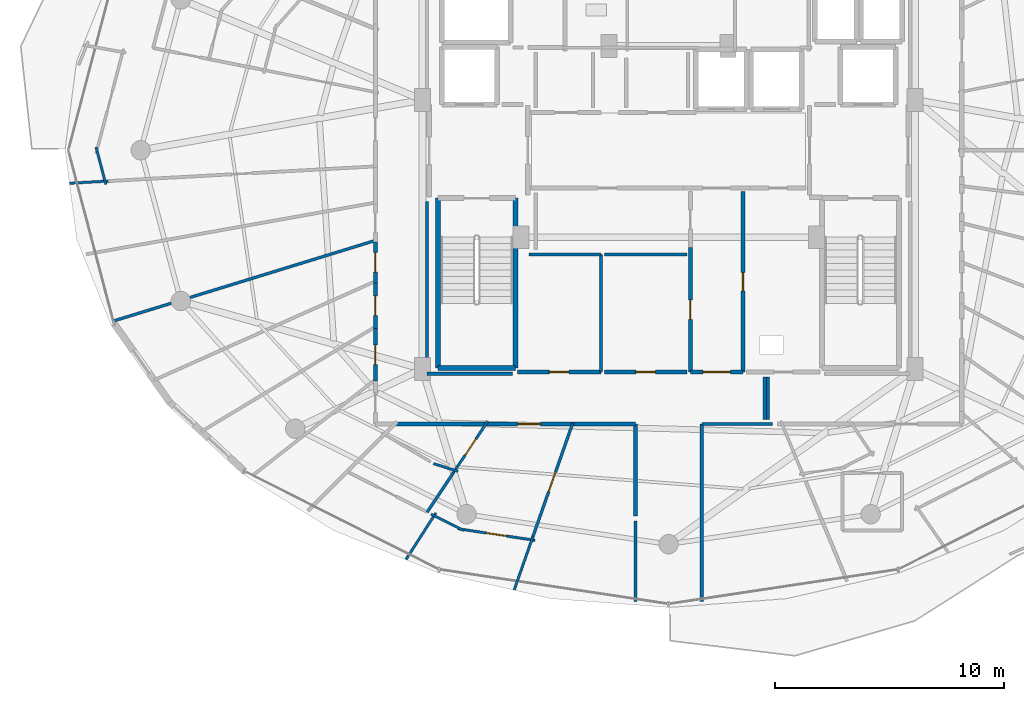
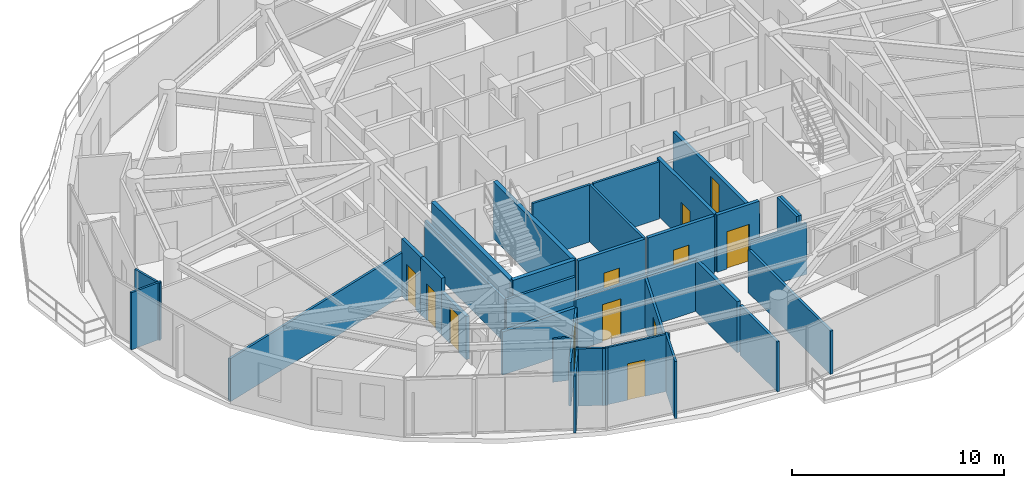
# One storey, part 21 of 30: 36 walls, 12 doors, 12 openings.
"""IFC4 building model written with IfcOpenShell, lengths in metres."""

from ifc_helpers import new_model, si_unit, direction, frame, frame_2d, origin, place, context, subcontext, project, spatial, rectangle, extrude, material, layer, layer_set, type_object, element, fill, save


model = new_model("IFC4")

# Units and contexts
model_context = context("Model", 3, precision=1e-05, world=origin(), true_north=direction((0.0, 1.0)))
body_context = subcontext(model_context, "Body", "Model", "MODEL_VIEW")
ifc_project = project(units=[si_unit("LENGTHUNIT", "METRE"), si_unit("AREAUNIT", "SQUARE_METRE"), si_unit("VOLUMEUNIT", "CUBIC_METRE"), si_unit("PLANEANGLEUNIT", "RADIAN"), si_unit("MASSUNIT", "GRAM", prefix="KILO")], contexts=[model_context])

# Site, building, storey
site_placement = place(None, origin())
site = spatial("IfcSite", under=ifc_project, at=site_placement, CompositionType="ELEMENT")
building_placement = place(site_placement, origin())
building = spatial("IfcBuilding", under=site, at=building_placement, Name="Vorneva Point Tower", CompositionType="ELEMENT")
storey_placement = place(building_placement, frame((0.0, 0.0, 262.64990234375)))
storey = spatial("IfcBuildingStorey", under=building, at=storey_placement, Name="L71", CompositionType="ELEMENT", Elevation=262.64990234375)

# Walls
ifc_material_1 = material(Name="Fire-rated acoustic gypsum stud partition", Category="gypsum")
ifc_layer_1 = layer(ifc_material_1, 0.110107421875)
ifc_layer_set_1 = layer_set([ifc_layer_1], Name="Fire-rated acoustic gypsum stud partition")
wall_type_1 = type_object("IfcWallType", Name="WL-PART-110", PredefinedType="PARTITIONING", material=ifc_layer_set_1)
wall_1_placement = place(storey_placement, frame((13.00439453125, 26.135498046875, 0.0), z_axis=(0.0, 0.0, 1.0), x_axis=(0.254278727694, -0.967130978018, 0.0)))
element("IfcWall", 1, at=wall_1_placement, inside=storey, type_object=wall_type_1, Name="L71 Interior Partition 076", PredefinedType="PARTITIONING", context=body_context, shape_type="SweptSolid", body=[
    extrude(rectangle(XDim=1.68017578125, YDim=0.110107421875, at=frame_2d((0.840087890625, 0.0))), origin(), (0.0, 0.0, 1.0), 3.2900390625),
])
wall_2_placement = place(storey_placement, frame((13.535888671875, 24.65380859375, 0.0), z_axis=(0.0, 0.0, 1.0), x_axis=(-0.998470551828, -0.055286138695, 0.0)))
element("IfcWall", 2, at=wall_2_placement, inside=storey, type_object=wall_type_1, Name="L71 Interior Partition 077", PredefinedType="PARTITIONING", context=body_context, shape_type="SweptSolid", body=[
    extrude(rectangle(XDim=1.69140625, YDim=0.110107421875, at=frame_2d((0.845703125, 0.0))), origin(), (0.0, 0.0, 1.0), 3.2900390625),
])

# Wall, opening, door
wall_3_placement = place(storey_placement, frame((30.103759765625, 14.16650390625, 0.0), z_axis=(0.0, 0.0, 1.0), x_axis=(-0.555011080332, -0.831842954354, 0.0)))
wall_3 = element("IfcWall", 3, at=wall_3_placement, inside=storey, type_object=wall_type_1, Name="L71 Interior Partition 095", PredefinedType="PARTITIONING", context=body_context, shape_type="SweptSolid", body=[
    extrude(rectangle(XDim=2.718017578125, YDim=0.110107421875, at=frame_2d((1.35888671875, 0.0))), origin(), (0.0, 0.0, 1.0), 2.482177734375),
])
opening_1_placement = place(wall_3_placement, frame((0.93408203125, 0.0, 0.0)))
opening_1 = element("IfcOpeningElement", 4, at=opening_1_placement, cuts=wall_3, Name="Opening ID-02", PredefinedType="OPENING", context=body_context, shape_type="SweptSolid", body=[
    extrude(rectangle(XDim=0.85009765625, YDim=2.10009765625, at=frame_2d((0.425048828125, 1.050048828125))), frame((0.0, 0.06982421875, 0.0), z_axis=(0.0, -1.0, 0.0), x_axis=(1.0, 0.0, 0.0)), (0.0, 0.0, 1.0), 0.139892578125),
])
ifc_material_2 = material(Name="Engineered oak fire-rated door leaf", Category="wood")
door_type_1 = type_object("IfcDoorType", Name="DR-BATH-850", OperationType="NOTDEFINED", PredefinedType="DOOR", material=ifc_material_2)
door_1_placement = place(opening_1_placement, origin())
door_1 = element("IfcDoor", 5, at=door_1_placement, inside=storey, type_object=door_type_1, Name="L71 Door Living and Dining Room L71-02 / Bathroom L71-02", OperationType="SINGLE_SWING_RIGHT", OverallHeight=2.10009765625, OverallWidth=0.85009765625, PredefinedType="DOOR", context=body_context, shape_type="SweptSolid", body=[
    extrude(rectangle(XDim=0.85009765625, YDim=2.10009765625, at=frame_2d((0.425048828125, 1.050048828125))), frame((0.0, 0.02490234375, 0.0), z_axis=(0.0, -1.0, 0.0), x_axis=(1.0, 0.0, 0.0)), (0.0, 0.0, 1.0), 0.050048828125),
])
fill(opening_1, door_1)

# Walls
wall_4_placement = place(storey_placement, frame((26.534423828125, 8.132080078125, 0.0), z_axis=(0.0, 0.0, 1.0), x_axis=(0.540114041626, 0.841591838149, 0.0)))
element("IfcWall", 6, at=wall_4_placement, inside=storey, type_object=wall_type_1, Name="L71 Interior Partition 096", PredefinedType="PARTITIONING", context=body_context, shape_type="SweptSolid", body=[
    extrude(rectangle(XDim=2.41650390625, YDim=0.110107421875, at=frame_2d((1.208251953125, 0.0))), origin(), (0.0, 0.0, 1.0), 3.2900390625),
])
wall_5_placement = place(storey_placement, frame((27.638916015625, 10.111083984375, 0.0), z_axis=(0.0, 0.0, 1.0), x_axis=(0.892614165752, -0.45082141819, 0.0)))
element("IfcWall", 7, at=wall_5_placement, inside=storey, type_object=wall_type_1, Name="L71 Interior Partition 097", PredefinedType="PARTITIONING", context=body_context, shape_type="SweptSolid", body=[
    extrude(rectangle(XDim=1.595458984375, YDim=0.110107421875, at=frame_2d((0.7978515625, 0.0))), origin(), (0.0, 0.0, 1.0), 3.2900390625),
])

# Wall, opening, door
wall_6_placement = place(storey_placement, frame((28.799560546875, 9.475830078125, 0.0), z_axis=(0.0, 0.0, 1.0), x_axis=(0.988903707347, -0.148557926731, 0.0)))
wall_6 = element("IfcWall", 8, at=wall_6_placement, inside=storey, type_object=wall_type_1, Name="L71 Interior Partition 098", PredefinedType="PARTITIONING", context=body_context, shape_type="SweptSolid", body=[
    extrude(rectangle(XDim=3.403564453125, YDim=0.110107421875, at=frame_2d((1.70166015625, 0.0))), origin(), (0.0, 0.0, 1.0), 3.2900390625),
])
opening_2_placement = place(wall_6_placement, frame((1.251708984375, 0.0, 0.0)))
opening_2 = element("IfcOpeningElement", 9, at=opening_2_placement, cuts=wall_6, Name="Opening ID-01", PredefinedType="OPENING", context=body_context, shape_type="SweptSolid", body=[
    extrude(rectangle(XDim=0.89990234375, YDim=2.10009765625, at=frame_2d((0.449951171875, 1.050048828125))), frame((0.0, 0.06982421875, 0.0), z_axis=(0.0, -1.0, 0.0), x_axis=(1.0, 0.0, 0.0)), (0.0, 0.0, 1.0), 0.139892578125),
])
door_type_2 = type_object("IfcDoorType", Name="DR-ROOM-900", OperationType="NOTDEFINED", PredefinedType="DOOR", material=ifc_material_2)
door_2_placement = place(opening_2_placement, origin())
door_2 = element("IfcDoor", 10, at=door_2_placement, inside=storey, type_object=door_type_2, Name="L71 Door Living and Dining Room L71-02 / Kitchen L71-02", OperationType="SINGLE_SWING_RIGHT", OverallHeight=2.10009765625, OverallWidth=0.89990234375, PredefinedType="DOOR", context=body_context, shape_type="SweptSolid", body=[
    extrude(rectangle(XDim=0.89990234375, YDim=2.10009765625, at=frame_2d((0.449951171875, 1.050048828125))), frame((0.0, 0.02490234375, 0.0), z_axis=(0.0, -1.0, 0.0), x_axis=(1.0, 0.0, 0.0)), (0.0, 0.0, 1.0), 0.050048828125),
])
fill(opening_2, door_2)

# Walls
wall_7_placement = place(storey_placement, frame((27.736572265625, 12.320556640625, 0.0), z_axis=(0.0, 0.0, 1.0), x_axis=(0.952754298981, -0.303742071127, 0.0)))
element("IfcWall", 11, at=wall_7_placement, inside=storey, type_object=wall_type_1, Name="L71 Interior Partition 103", PredefinedType="PARTITIONING", context=body_context, shape_type="SweptSolid", body=[
    extrude(rectangle(XDim=1.122802734375, YDim=0.110107421875, at=frame_2d((0.5615234375, 0.0))), origin(), (0.0, 0.0, 1.0), 2.482177734375),
])
wall_8_placement = place(storey_placement, frame((31.258544921875, 6.802978515625, 0.0), z_axis=(0.0, 0.0, 1.0), x_axis=(0.331407174133, 0.943487829775, 0.0)))
element("IfcWall", 12, at=wall_8_placement, inside=storey, type_object=wall_type_1, Name="L71 Interior Partition 104", PredefinedType="PARTITIONING", context=body_context, shape_type="SweptSolid", body=[
    extrude(rectangle(XDim=2.458984375, YDim=0.110107421875, at=frame_2d((1.2294921875, 0.0))), origin(), (0.0, 0.0, 1.0), 3.2900390625),
])
ifc_layer_2 = layer(ifc_material_1, 0.125)
ifc_layer_set_2 = layer_set([ifc_layer_2], Name="Fire-rated acoustic gypsum stud partition")
wall_type_2 = type_object("IfcWallType", Name="WL-PART-125", PredefinedType="PARTITIONING", material=ifc_layer_set_2)
wall_9_placement = place(storey_placement, frame((35.050048828125, 16.320068359375, 0.0), z_axis=(0.0, 0.0, 1.0), x_axis=(0.0, 1.0, 0.0)))
element("IfcWall", 13, at=wall_9_placement, inside=storey, type_object=wall_type_2, Name="L71 Interior Partition 028", PredefinedType="PARTITIONING", context=body_context, shape_type="SweptSolid", body=[
    extrude(rectangle(XDim=5.1298828125, YDim=0.125, at=frame_2d((2.56494140625, 0.0))), origin(), (0.0, 0.0, 1.0), 3.2900390625),
])
wall_10_placement = place(storey_placement, frame((35.050048828125, 21.449951171875, 0.0), z_axis=(0.0, 0.0, 1.0), x_axis=(-1.0, 0.0, 0.0)))
element("IfcWall", 14, at=wall_10_placement, inside=storey, type_object=wall_type_2, Name="L71 Interior Partition 029", PredefinedType="PARTITIONING", context=body_context, shape_type="SweptSolid", body=[
    extrude(rectangle(XDim=3.155029296875, YDim=0.125, at=frame_2d((1.57763671875, 0.0))), origin(), (0.0, 0.0, 1.0), 3.2900390625),
])
wall_11_placement = place(storey_placement, frame((38.800048828125, 21.449951171875, 0.0), z_axis=(0.0, 0.0, 1.0), x_axis=(-1.0, 0.0, 0.0)))
element("IfcWall", 15, at=wall_11_placement, inside=storey, type_object=wall_type_2, Name="L71 Interior Partition 031", PredefinedType="PARTITIONING", context=body_context, shape_type="SweptSolid", body=[
    extrude(rectangle(XDim=3.60009765625, YDim=0.125, at=frame_2d((1.800048828125, 0.0))), origin(), (0.0, 0.0, 1.0), 3.2900390625),
])
wall_12_placement = place(storey_placement, frame((13.7470703125, 18.5390625, 0.0), z_axis=(0.0, 0.0, 1.0), x_axis=(0.955802794564, 0.294008533725, 0.0)))
element("IfcWall", 16, at=wall_12_placement, inside=storey, type_object=wall_type_2, Name="L71 Interior Partition 088", PredefinedType="PARTITIONING", context=body_context, shape_type="SweptSolid", body=[
    extrude(rectangle(XDim=11.982421875, YDim=0.125, at=frame_2d((5.9912109375, 0.0))), origin(), (0.0, 0.0, 1.0), 2.482177734375),
])
wall_13_placement = place(storey_placement, frame((28.59521484375, 11.905517578125, 0.0), z_axis=(0.0, 0.0, 1.0), x_axis=(-0.555085472594, -0.831793314541, 0.0)))
element("IfcWall", 17, at=wall_13_placement, inside=storey, type_object=wall_type_2, Name="L71 Interior Partition 100", PredefinedType="PARTITIONING", context=body_context, shape_type="SweptSolid", body=[
    extrude(rectangle(XDim=2.046875, YDim=0.125, at=frame_2d((1.0234375, 0.0))), origin(), (0.0, 0.0, 1.0), 2.482177734375),
])

# Wall, opening, door
wall_14_placement = place(storey_placement, frame((32.027099609375, 8.990966796875, 0.0), z_axis=(0.0, 0.0, 1.0), x_axis=(0.331214316781, 0.943555550224, 0.0)))
wall_14 = element("IfcWall", 18, at=wall_14_placement, inside=storey, type_object=wall_type_2, Name="L71 Interior Partition 101", PredefinedType="PARTITIONING", context=body_context, shape_type="SweptSolid", body=[
    extrude(rectangle(XDim=5.36181640625, YDim=0.125, at=frame_2d((2.680908203125, 0.0))), origin(), (0.0, 0.0, 1.0), 2.8740234375),
])
opening_3_placement = place(wall_14_placement, frame((2.230712890625, 0.0, 0.0)))
opening_3 = element("IfcOpeningElement", 19, at=opening_3_placement, cuts=wall_14, Name="Opening ID-01", PredefinedType="OPENING", context=body_context, shape_type="SweptSolid", body=[
    extrude(rectangle(XDim=0.89990234375, YDim=2.10009765625, at=frame_2d((0.449951171875, 1.050048828125))), frame((0.0, 0.077392578125, 0.0), z_axis=(0.0, -1.0, 0.0), x_axis=(1.0, 0.0, 0.0)), (0.0, 0.0, 1.0), 0.15478515625),
])
door_3_placement = place(opening_3_placement, origin())
door_3 = element("IfcDoor", 20, at=door_3_placement, inside=storey, type_object=door_type_2, Name="L71 Door Living and Dining Room L71-02 / Master Bedroom L71-02.1", OperationType="SINGLE_SWING_LEFT", OverallHeight=2.10009765625, OverallWidth=0.89990234375, PredefinedType="DOOR", context=body_context, shape_type="SweptSolid", body=[
    extrude(rectangle(XDim=0.89990234375, YDim=2.10009765625, at=frame_2d((0.449951171875, 1.050048828125))), frame((0.0, 0.02490234375, 0.0), z_axis=(0.0, -1.0, 0.0), x_axis=(1.0, 0.0, 0.0)), (0.0, 0.0, 1.0), 0.050048828125),
])
fill(opening_3, door_3)

# Walls
ifc_layer_3 = layer(ifc_material_1, 0.139892578125)
ifc_layer_set_3 = layer_set([ifc_layer_3], Name="Fire-rated acoustic gypsum stud partition")
wall_type_3 = type_object("IfcWallType", Name="WL-PART-140", PredefinedType="PARTITIONING", material=ifc_layer_set_3)
wall_15_placement = place(storey_placement, frame((36.550048828125, 9.802978515625, 0.0), z_axis=(0.0, 0.0, 1.0), x_axis=(0.0, -1.0, 0.0)))
element("IfcWall", 21, at=wall_15_placement, inside=storey, type_object=wall_type_3, Name="L71 Interior Closure Partition 152", PredefinedType="PARTITIONING", context=body_context, shape_type="SweptSolid", body=[
    extrude(rectangle(XDim=3.50390625, YDim=0.139892578125, at=frame_2d((1.751953125, 0.0))), origin(), (0.0, 0.0, 1.0), 2.8740234375),
])
wall_16_placement = place(storey_placement, frame((39.449951171875, 6.299072265625, 0.0), z_axis=(0.0, 0.0, 1.0), x_axis=(0.0, 1.0, 0.0)))
element("IfcWall", 22, at=wall_16_placement, inside=storey, type_object=wall_type_3, Name="L71 Interior Closure Partition 153", PredefinedType="PARTITIONING", context=body_context, shape_type="SweptSolid", body=[
    extrude(rectangle(XDim=7.7509765625, YDim=0.139892578125, at=frame_2d((3.87548828125, 0.0))), origin(), (0.0, 0.0, 1.0), 2.482177734375),
])
wall_17_placement = place(storey_placement, frame((39.449951171875, 14.050048828125, 0.0), z_axis=(0.0, 0.0, 1.0), x_axis=(1.0, 0.0, 0.0)))
element("IfcWall", 23, at=wall_17_placement, inside=storey, type_object=wall_type_3, Name="L71 Interior Closure Partition 154", PredefinedType="PARTITIONING", context=body_context, shape_type="SweptSolid", body=[
    extrude(rectangle(XDim=3.080078125, YDim=0.139892578125, at=frame_2d((1.5400390625, 0.0))), origin(), (0.0, 0.0, 1.0), 2.93603515625),
])
wall_18_placement = place(storey_placement, frame((42.340087890625, 14.25, 0.0), z_axis=(0.0, 0.0, 1.0), x_axis=(0.0, 1.0, 0.0)))
element("IfcWall", 24, at=wall_18_placement, inside=storey, type_object=wall_type_3, Name="L71 Interior Closure Partition 157", PredefinedType="PARTITIONING", context=body_context, shape_type="SweptSolid", body=[
    extrude(rectangle(XDim=1.85009765625, YDim=0.139892578125, at=frame_2d((0.925048828125, 0.0))), origin(), (0.0, 0.0, 1.0), 3.2900390625),
])
wall_19_placement = place(storey_placement, frame((27.449951171875, 23.75390625, 0.0), z_axis=(0.0, 0.0, 1.0), x_axis=(0.0, -1.0, 0.0)))
element("IfcWall", 25, at=wall_19_placement, inside=storey, type_object=wall_type_3, Name="L71 Interior Closure Partition 165", PredefinedType="PARTITIONING", context=body_context, shape_type="SweptSolid", body=[
    extrude(rectangle(XDim=7.513916015625, YDim=0.139892578125, at=frame_2d((3.7568359375, 0.0))), origin(), (0.0, 0.0, 1.0), 2.482177734375),
])
wall_20_placement = place(storey_placement, frame((27.449951171875, 16.239990234375, 0.0), z_axis=(0.0, 0.0, 1.0), x_axis=(1.0, 0.0, 0.0)))
element("IfcWall", 26, at=wall_20_placement, inside=storey, type_object=wall_type_3, Name="L71 Interior Closure Partition 166", PredefinedType="PARTITIONING", context=body_context, shape_type="SweptSolid", body=[
    extrude(rectangle(XDim=3.7451171875, YDim=0.139892578125, at=frame_2d((1.87255859375, 0.0))), origin(), (0.0, 0.0, 1.0), 2.482177734375),
])
wall_21_placement = place(storey_placement, frame((42.199951171875, 16.10009765625, 0.0), z_axis=(0.0, 0.0, 1.0), x_axis=(0.0, -1.0, 0.0)))
element("IfcWall", 27, at=wall_21_placement, inside=storey, type_object=wall_type_3, Name="L71 Interior Closure Partition 167", PredefinedType="PARTITIONING", context=body_context, shape_type="SweptSolid", body=[
    extrude(rectangle(XDim=1.85009765625, YDim=0.139892578125, at=frame_2d((0.925048828125, 0.0))), origin(), (0.0, 0.0, 1.0), 3.2900390625),
])

# Wall, opening, door
ifc_material_3 = material(Name="Autoclaved aerated concrete blockwork", Category="masonry")
ifc_layer_4 = layer(ifc_material_3, 0.179931640625)
ifc_layer_set_4 = layer_set([ifc_layer_4], Name="Autoclaved aerated concrete blockwork")
wall_type_4 = type_object("IfcWallType", Name="WL-PART-180", PredefinedType="PARTITIONING", material=ifc_layer_set_4)
wall_22_placement = place(storey_placement, frame((41.25, 16.320068359375, 0.0), z_axis=(0.0, 0.0, 1.0), x_axis=(0.0, 1.0, 0.0)))
wall_22 = element("IfcWall", 28, at=wall_22_placement, inside=storey, type_object=wall_type_4, Name="L71 Interior Partition 015", PredefinedType="PARTITIONING", context=body_context, shape_type="SweptSolid", body=[
    extrude(rectangle(XDim=7.8798828125, YDim=0.179931640625, at=frame_2d((3.93994140625, 0.0))), origin(), (0.0, 0.0, 1.0), 2.482177734375),
])
opening_4_placement = place(wall_22_placement, frame((3.5400390625, 0.0, 0.0)))
opening_4 = element("IfcOpeningElement", 29, at=opening_4_placement, cuts=wall_22, Name="Opening RD-01", PredefinedType="OPENING", context=body_context, shape_type="SweptSolid", body=[
    extrude(rectangle(XDim=0.800048828125, YDim=2.050048828125, at=frame_2d((0.39990234375, 1.02490234375))), frame((0.0, 0.10498046875, 0.0), z_axis=(0.0, -1.0, 0.0), x_axis=(1.0, 0.0, 0.0)), (0.0, 0.0, 1.0), 0.209716796875),
])
ifc_material_4 = material(Name="Fire-rated powder-coated steel", Category="steel")
door_type_3 = type_object("IfcDoorType", Name="DR-RSR-800", OperationType="SINGLE_SWING_LEFT", PredefinedType="DOOR", material=ifc_material_4)
door_4_placement = place(opening_4_placement, origin())
door_4 = element("IfcDoor", 30, at=door_4_placement, inside=storey, type_object=door_type_3, Name="L71 Door Core Service Lobby / Electrical Riser", OperationType="SINGLE_SWING_LEFT", OverallHeight=2.050048828125, OverallWidth=0.800048828125, PredefinedType="DOOR", context=body_context, shape_type="SweptSolid", body=[
    extrude(rectangle(XDim=0.800048828125, YDim=2.050048828125, at=frame_2d((0.39990234375, 1.02490234375))), frame((0.0, 0.02490234375, 0.0), z_axis=(0.0, -1.0, 0.0), x_axis=(1.0, 0.0, 0.0)), (0.0, 0.0, 1.0), 0.050048828125),
])
fill(opening_4, door_4)

wall_23_placement = place(storey_placement, frame((38.949951171875, 21.7548828125, 0.0), z_axis=(0.0, 0.0, 1.0), x_axis=(0.0, -1.0, 0.0)))
wall_23 = element("IfcWall", 31, at=wall_23_placement, inside=storey, type_object=wall_type_4, Name="L71 Interior Partition 016", PredefinedType="PARTITIONING", context=body_context, shape_type="SweptSolid", body=[
    extrude(rectangle(XDim=5.434814453125, YDim=0.179931640625, at=frame_2d((2.71728515625, 0.0))), origin(), (0.0, 0.0, 1.0), 3.2900390625),
])
opening_5_placement = place(wall_23_placement, frame((2.29248046875, 0.0, 0.0)))
opening_5 = element("IfcOpeningElement", 32, at=opening_5_placement, cuts=wall_23, Name="Opening ID-02", PredefinedType="OPENING", context=body_context, shape_type="SweptSolid", body=[
    extrude(rectangle(XDim=0.85009765625, YDim=2.10009765625, at=frame_2d((0.425048828125, 1.050048828125))), frame((0.0, 0.10498046875, 0.0), z_axis=(0.0, -1.0, 0.0), x_axis=(1.0, 0.0, 0.0)), (0.0, 0.0, 1.0), 0.209716796875),
])
door_5_placement = place(opening_5_placement, origin())
door_5 = element("IfcDoor", 33, at=door_5_placement, inside=storey, type_object=door_type_1, Name="L71 Door Core Service Lobby / Tenant Equipment Store", OperationType="SINGLE_SWING_RIGHT", OverallHeight=2.10009765625, OverallWidth=0.85009765625, PredefinedType="DOOR", context=body_context, shape_type="SweptSolid", body=[
    extrude(rectangle(XDim=0.85009765625, YDim=2.10009765625, at=frame_2d((0.425048828125, 1.050048828125))), frame((0.0, 0.02490234375, 0.0), z_axis=(0.0, -1.0, 0.0), x_axis=(1.0, 0.0, 0.0)), (0.0, 0.0, 1.0), 0.050048828125),
])
fill(opening_5, door_5)

wall_24_placement = place(storey_placement, frame((38.949951171875, 16.320068359375, 0.0), z_axis=(0.0, 0.0, 1.0), x_axis=(1.0, 0.0, 0.0)))
wall_24 = element("IfcWall", 34, at=wall_24_placement, inside=storey, type_object=wall_type_4, Name="L71 Interior Partition 018", PredefinedType="PARTITIONING", context=body_context, shape_type="SweptSolid", body=[
    extrude(rectangle(XDim=2.300048828125, YDim=0.179931640625, at=frame_2d((1.14990234375, 0.0))), origin(), (0.0, 0.0, 1.0), 3.2900390625),
])
opening_6_placement = place(wall_24_placement, frame((0.550048828125, 0.0, 0.0)))
opening_6 = element("IfcOpeningElement", 35, at=opening_6_placement, cuts=wall_24, Name="Opening FD-02", PredefinedType="OPENING", context=body_context, shape_type="SweptSolid", body=[
    extrude(rectangle(XDim=1.199951171875, YDim=2.14990234375, at=frame_2d((0.60009765625, 1.074951171875))), frame((0.0, 0.10498046875, 0.0), z_axis=(0.0, -1.0, 0.0), x_axis=(1.0, 0.0, 0.0)), (0.0, 0.0, 1.0), 0.209716796875),
])
door_type_4 = type_object("IfcDoorType", Name="DR-FFL-1200", OperationType="NOTDEFINED", PredefinedType="DOOR", material=ifc_material_4)
door_6_placement = place(opening_6_placement, origin())
door_6 = element("IfcDoor", 36, at=door_6_placement, inside=storey, type_object=door_type_4, Name="L71 Door Core Service Lobby / L71 Circulation Corridor", OperationType="SINGLE_SWING_RIGHT", OverallHeight=2.14990234375, OverallWidth=1.199951171875, PredefinedType="DOOR", context=body_context, shape_type="SweptSolid", body=[
    extrude(rectangle(XDim=1.199951171875, YDim=2.14990234375, at=frame_2d((0.60009765625, 1.074951171875))), frame((0.0, 0.02490234375, 0.0), z_axis=(0.0, -1.0, 0.0), x_axis=(1.0, 0.0, 0.0)), (0.0, 0.0, 1.0), 0.050048828125),
])
fill(opening_6, door_6)

wall_25_placement = place(storey_placement, frame((31.39990234375, 16.320068359375, 0.0), z_axis=(0.0, 0.0, 1.0), x_axis=(1.0, 0.0, 0.0)))
wall_25 = element("IfcWall", 37, at=wall_25_placement, inside=storey, type_object=wall_type_4, Name="L71 Interior Partition 030", PredefinedType="PARTITIONING", context=body_context, shape_type="SweptSolid", body=[
    extrude(rectangle(XDim=3.650146484375, YDim=0.179931640625, at=frame_2d((1.8251953125, 0.0))), origin(), (0.0, 0.0, 1.0), 3.2900390625),
])
opening_7_placement = place(wall_25_placement, frame((1.39990234375, 0.0, 0.0)))
opening_7 = element("IfcOpeningElement", 38, at=opening_7_placement, cuts=wall_25, Name="Opening ID-02", PredefinedType="OPENING", context=body_context, shape_type="SweptSolid", body=[
    extrude(rectangle(XDim=0.85009765625, YDim=2.10009765625, at=frame_2d((0.425048828125, 1.050048828125))), frame((0.0, 0.10498046875, 0.0), z_axis=(0.0, -1.0, 0.0), x_axis=(1.0, 0.0, 0.0)), (0.0, 0.0, 1.0), 0.209716796875),
])
door_7_placement = place(opening_7_placement, origin())
door_7 = element("IfcDoor", 39, at=door_7_placement, inside=storey, type_object=door_type_1, Name="L71 Door Cleaners Store / L71 Circulation Corridor", OperationType="SINGLE_SWING_LEFT", OverallHeight=2.10009765625, OverallWidth=0.85009765625, PredefinedType="DOOR", context=body_context, shape_type="SweptSolid", body=[
    extrude(rectangle(XDim=0.85009765625, YDim=2.10009765625, at=frame_2d((0.425048828125, 1.050048828125))), frame((0.0, 0.02490234375, 0.0), z_axis=(0.0, -1.0, 0.0), x_axis=(1.0, 0.0, 0.0)), (0.0, 0.0, 1.0), 0.050048828125),
])
fill(opening_7, door_7)

wall_26_placement = place(storey_placement, frame((35.199951171875, 16.320068359375, 0.0), z_axis=(0.0, 0.0, 1.0), x_axis=(1.0, 0.0, 0.0)))
wall_26 = element("IfcWall", 40, at=wall_26_placement, inside=storey, type_object=wall_type_4, Name="L71 Interior Partition 032", PredefinedType="PARTITIONING", context=body_context, shape_type="SweptSolid", body=[
    extrude(rectangle(XDim=3.60009765625, YDim=0.179931640625, at=frame_2d((1.800048828125, 0.0))), origin(), (0.0, 0.0, 1.0), 3.2900390625),
])
opening_8_placement = place(wall_26_placement, frame((1.375, 0.0, 0.0)))
opening_8 = element("IfcOpeningElement", 41, at=opening_8_placement, cuts=wall_26, Name="Opening ID-02", PredefinedType="OPENING", context=body_context, shape_type="SweptSolid", body=[
    extrude(rectangle(XDim=0.85009765625, YDim=2.10009765625, at=frame_2d((0.425048828125, 1.050048828125))), frame((0.0, 0.10498046875, 0.0), z_axis=(0.0, -1.0, 0.0), x_axis=(1.0, 0.0, 0.0)), (0.0, 0.0, 1.0), 0.209716796875),
])
door_8_placement = place(opening_8_placement, origin())
door_8 = element("IfcDoor", 42, at=door_8_placement, inside=storey, type_object=door_type_1, Name="L71 Door Tenant Equipment Store / L71 Circulation Corridor", OperationType="SINGLE_SWING_RIGHT", OverallHeight=2.10009765625, OverallWidth=0.85009765625, PredefinedType="DOOR", context=body_context, shape_type="SweptSolid", body=[
    extrude(rectangle(XDim=0.85009765625, YDim=2.10009765625, at=frame_2d((0.425048828125, 1.050048828125))), frame((0.0, 0.02490234375, 0.0), z_axis=(0.0, -1.0, 0.0), x_axis=(1.0, 0.0, 0.0)), (0.0, 0.0, 1.0), 0.050048828125),
])
fill(opening_8, door_8)

wall_27_placement = place(storey_placement, frame((25.199951171875, 21.9990234375, 0.0), z_axis=(0.0, 0.0, 1.0), x_axis=(0.0, -1.0, 0.0)))
wall_27 = element("IfcWall", 43, at=wall_27_placement, inside=storey, type_object=wall_type_4, Name="L71 Interior Partition 037", PredefinedType="PARTITIONING", context=body_context, shape_type="SweptSolid", body=[
    extrude(rectangle(XDim=1.783935546875, YDim=0.179931640625, at=frame_2d((0.89208984375, 0.0))), origin(), (0.0, 0.0, 1.0), 3.2900390625),
])
opening_9_placement = place(wall_27_placement, frame((0.467041015625, 0.0, 0.0)))
opening_9 = element("IfcOpeningElement", 44, at=opening_9_placement, cuts=wall_27, Name="Opening ID-02", PredefinedType="OPENING", context=body_context, shape_type="SweptSolid", body=[
    extrude(rectangle(XDim=0.85009765625, YDim=2.10009765625, at=frame_2d((0.425048828125, 1.050048828125))), frame((0.0, 0.10498046875, 0.0), z_axis=(0.0, -1.0, 0.0), x_axis=(1.0, 0.0, 0.0)), (0.0, 0.0, 1.0), 0.209716796875),
])
door_9_placement = place(opening_9_placement, origin())
door_9 = element("IfcDoor", 45, at=door_9_placement, inside=storey, type_object=door_type_1, Name="L71 Access Door L71 Circulation Corridor", OperationType="SINGLE_SWING_LEFT", OverallHeight=2.10009765625, OverallWidth=0.85009765625, PredefinedType="DOOR", context=body_context, shape_type="SweptSolid", body=[
    extrude(rectangle(XDim=0.85009765625, YDim=2.10009765625, at=frame_2d((0.425048828125, 1.050048828125))), frame((0.0, 0.02490234375, 0.0), z_axis=(0.0, -1.0, 0.0), x_axis=(1.0, 0.0, 0.0)), (0.0, 0.0, 1.0), 0.050048828125),
])
fill(opening_9, door_9)

wall_28_placement = place(storey_placement, frame((25.199951171875, 20.215087890625, 0.0), z_axis=(0.0, 0.0, 1.0), x_axis=(0.0, -1.0, 0.0)))
wall_28 = element("IfcWall", 46, at=wall_28_placement, inside=storey, type_object=wall_type_4, Name="L71 Interior Partition 038", PredefinedType="PARTITIONING", context=body_context, shape_type="SweptSolid", body=[
    extrude(rectangle(XDim=1.990966796875, YDim=0.179931640625, at=frame_2d((0.99560546875, 0.0))), origin(), (0.0, 0.0, 1.0), 3.2900390625),
])
opening_10_placement = place(wall_28_placement, frame((0.570556640625, 0.0, 0.0)))
opening_10 = element("IfcOpeningElement", 47, at=opening_10_placement, cuts=wall_28, Name="Opening ID-02", PredefinedType="OPENING", context=body_context, shape_type="SweptSolid", body=[
    extrude(rectangle(XDim=0.85009765625, YDim=2.10009765625, at=frame_2d((0.425048828125, 1.050048828125))), frame((0.0, 0.10498046875, 0.0), z_axis=(0.0, -1.0, 0.0), x_axis=(1.0, 0.0, 0.0)), (0.0, 0.0, 1.0), 0.209716796875),
])
door_10_placement = place(opening_10_placement, origin())
door_10 = element("IfcDoor", 48, at=door_10_placement, inside=storey, type_object=door_type_1, Name="L71 Access Door L71 Circulation Corridor", OperationType="SINGLE_SWING_RIGHT", OverallHeight=2.10009765625, OverallWidth=0.85009765625, PredefinedType="DOOR", context=body_context, shape_type="SweptSolid", body=[
    extrude(rectangle(XDim=0.85009765625, YDim=2.10009765625, at=frame_2d((0.425048828125, 1.050048828125))), frame((0.0, 0.02490234375, 0.0), z_axis=(0.0, -1.0, 0.0), x_axis=(1.0, 0.0, 0.0)), (0.0, 0.0, 1.0), 0.050048828125),
])
fill(opening_10, door_10)

wall_29_placement = place(storey_placement, frame((25.199951171875, 18.22412109375, 0.0), z_axis=(0.0, 0.0, 1.0), x_axis=(0.0, -1.0, 0.0)))
wall_29 = element("IfcWall", 49, at=wall_29_placement, inside=storey, type_object=wall_type_4, Name="L71 Interior Partition 039", PredefinedType="PARTITIONING", context=body_context, shape_type="SweptSolid", body=[
    extrude(rectangle(XDim=2.30908203125, YDim=0.179931640625, at=frame_2d((1.154541015625, 0.0))), origin(), (0.0, 0.0, 1.0), 2.482177734375),
])
opening_11_placement = place(wall_29_placement, frame((0.7294921875, 0.0, 0.0)))
opening_11 = element("IfcOpeningElement", 50, at=opening_11_placement, cuts=wall_29, Name="Opening ID-02", PredefinedType="OPENING", context=body_context, shape_type="SweptSolid", body=[
    extrude(rectangle(XDim=0.85009765625, YDim=2.10009765625, at=frame_2d((0.425048828125, 1.050048828125))), frame((0.0, 0.10498046875, 0.0), z_axis=(0.0, -1.0, 0.0), x_axis=(1.0, 0.0, 0.0)), (0.0, 0.0, 1.0), 0.209716796875),
])
door_11_placement = place(opening_11_placement, origin())
door_11 = element("IfcDoor", 51, at=door_11_placement, inside=storey, type_object=door_type_1, Name="L71 Access Door L71 Circulation Corridor", OperationType="SINGLE_SWING_LEFT", OverallHeight=2.10009765625, OverallWidth=0.85009765625, PredefinedType="DOOR", context=body_context, shape_type="SweptSolid", body=[
    extrude(rectangle(XDim=0.85009765625, YDim=2.10009765625, at=frame_2d((0.425048828125, 1.050048828125))), frame((0.0, 0.02490234375, 0.0), z_axis=(0.0, -1.0, 0.0), x_axis=(1.0, 0.0, 0.0)), (0.0, 0.0, 1.0), 0.050048828125),
])
fill(opening_11, door_11)

wall_30_placement = place(storey_placement, frame((29.9541015625, 14.050048828125, 0.0), z_axis=(0.0, 0.0, 1.0), x_axis=(1.0, 0.0, 0.0)))
wall_30 = element("IfcWall", 52, at=wall_30_placement, inside=storey, type_object=wall_type_4, Name="L71 Interior Partition 042", PredefinedType="PARTITIONING", context=body_context, shape_type="SweptSolid", body=[
    extrude(rectangle(XDim=3.908935546875, YDim=0.179931640625, at=frame_2d((1.95458984375, 0.0))), origin(), (0.0, 0.0, 1.0), 2.93603515625),
])
opening_12_placement = place(wall_30_placement, frame((1.45458984375, 0.0, 0.0)))
opening_12 = element("IfcOpeningElement", 53, at=opening_12_placement, cuts=wall_30, Name="Opening UD-01", PredefinedType="OPENING", context=body_context, shape_type="SweptSolid", body=[
    extrude(rectangle(XDim=1.0, YDim=2.14990234375, at=frame_2d((0.5, 1.074951171875))), frame((0.0, 0.10498046875, 0.0), z_axis=(0.0, -1.0, 0.0), x_axis=(1.0, 0.0, 0.0)), (0.0, 0.0, 1.0), 0.209716796875),
])
door_type_5 = type_object("IfcDoorType", Name="DR-UNIT-1000", OperationType="NOTDEFINED", PredefinedType="DOOR", material=ifc_material_2)
door_12_placement = place(opening_12_placement, origin())
door_12 = element("IfcDoor", 54, at=door_12_placement, inside=storey, type_object=door_type_5, Name="L71 Door L71 Circulation Corridor / Living and Dining Room L71-02", OperationType="SINGLE_SWING_RIGHT", OverallHeight=2.14990234375, OverallWidth=1.0, PredefinedType="DOOR", context=body_context, shape_type="SweptSolid", body=[
    extrude(rectangle(XDim=1.0, YDim=2.14990234375, at=frame_2d((0.5, 1.074951171875))), frame((0.0, 0.02490234375, 0.0), z_axis=(0.0, -1.0, 0.0), x_axis=(1.0, 0.0, 0.0)), (0.0, 0.0, 1.0), 0.050048828125),
])
fill(opening_12, door_12)

# Walls
wall_31_placement = place(storey_placement, frame((25.969970703125, 14.050048828125, 0.0), z_axis=(0.0, 0.0, 1.0), x_axis=(1.0, 0.0, 0.0)))
element("IfcWall", 55, at=wall_31_placement, inside=storey, type_object=wall_type_4, Name="L71 Interior Partition 043", PredefinedType="PARTITIONING", context=body_context, shape_type="SweptSolid", body=[
    extrude(rectangle(XDim=4.1240234375, YDim=0.179931640625, at=frame_2d((2.06201171875, 0.0))), origin(), (0.0, 0.0, 1.0), 2.482177734375),
])
wall_32_placement = place(storey_placement, frame((33.863037109375, 14.050048828125, 0.0), z_axis=(0.0, 0.0, 1.0), x_axis=(1.0, 0.0, 0.0)))
element("IfcWall", 56, at=wall_32_placement, inside=storey, type_object=wall_type_4, Name="L71 Interior Partition 044", PredefinedType="PARTITIONING", context=body_context, shape_type="SweptSolid", body=[
    extrude(rectangle(XDim=2.68701171875, YDim=0.179931640625, at=frame_2d((1.343505859375, 0.0))), origin(), (0.0, 0.0, 1.0), 2.93603515625),
])
wall_33_placement = place(storey_placement, frame((36.550048828125, 14.050048828125, 0.0), z_axis=(0.0, 0.0, 1.0), x_axis=(0.0, -1.0, 0.0)))
element("IfcWall", 57, at=wall_33_placement, inside=storey, type_object=wall_type_4, Name="L71 Interior Partition 045", PredefinedType="PARTITIONING", context=body_context, shape_type="SweptSolid", body=[
    extrude(rectangle(XDim=4.027099609375, YDim=0.179931640625, at=frame_2d((2.013671875, 0.0))), origin(), (0.0, 0.0, 1.0), 2.93603515625),
])
ifc_material_5 = material(Name="Concrete B50 (C40/50)", Category="concrete")
ifc_layer_5 = layer(ifc_material_5, 0.219970703125)
ifc_layer_set_5 = layer_set([ifc_layer_5], Name="Concrete B50 (C40/50)")
wall_type_5 = type_object("IfcWallType", Name="WL-SHFT-220", PredefinedType="SOLIDWALL", material=ifc_layer_set_5)
wall_34_placement = place(storey_placement, frame((31.31005859375, 23.909912109375, 0.0), z_axis=(0.0, 0.0, 1.0), x_axis=(0.0, -1.0, 0.0)))
element("IfcWall", 58, at=wall_34_placement, inside=storey, type_object=wall_type_5, Name="L71 Exit Stair ST1 Shaft Wall right", PredefinedType="SOLIDWALL", context=body_context, shape_type="SweptSolid", body=[
    extrude(rectangle(XDim=7.419921875, YDim=0.219970703125, at=frame_2d((3.7099609375, 0.0))), origin(), (0.0, 0.0, 1.0), 3.2900390625),
])
wall_35_placement = place(storey_placement, frame((31.31005859375, 16.489990234375, 0.0), z_axis=(0.0, 0.0, 1.0), x_axis=(-1.0, 0.0, 0.0)))
element("IfcWall", 59, at=wall_35_placement, inside=storey, type_object=wall_type_5, Name="L71 Exit Stair ST1 Shaft Wall far", PredefinedType="SOLIDWALL", context=body_context, shape_type="SweptSolid", body=[
    extrude(rectangle(XDim=3.3701171875, YDim=0.219970703125, at=frame_2d((1.68505859375, 0.0))), origin(), (0.0, 0.0, 1.0), 3.2900390625),
])
wall_36_placement = place(storey_placement, frame((27.93994140625, 16.489990234375, 0.0), z_axis=(0.0, 0.0, 1.0), x_axis=(0.0, 1.0, 0.0)))
element("IfcWall", 60, at=wall_36_placement, inside=storey, type_object=wall_type_5, Name="L71 Exit Stair ST1 Shaft Wall left", PredefinedType="SOLIDWALL", context=body_context, shape_type="SweptSolid", body=[
    extrude(rectangle(XDim=7.419921875, YDim=0.219970703125, at=frame_2d((3.7099609375, 0.0))), origin(), (0.0, 0.0, 1.0), 3.2900390625),
])

save(model, "model.ifc")
